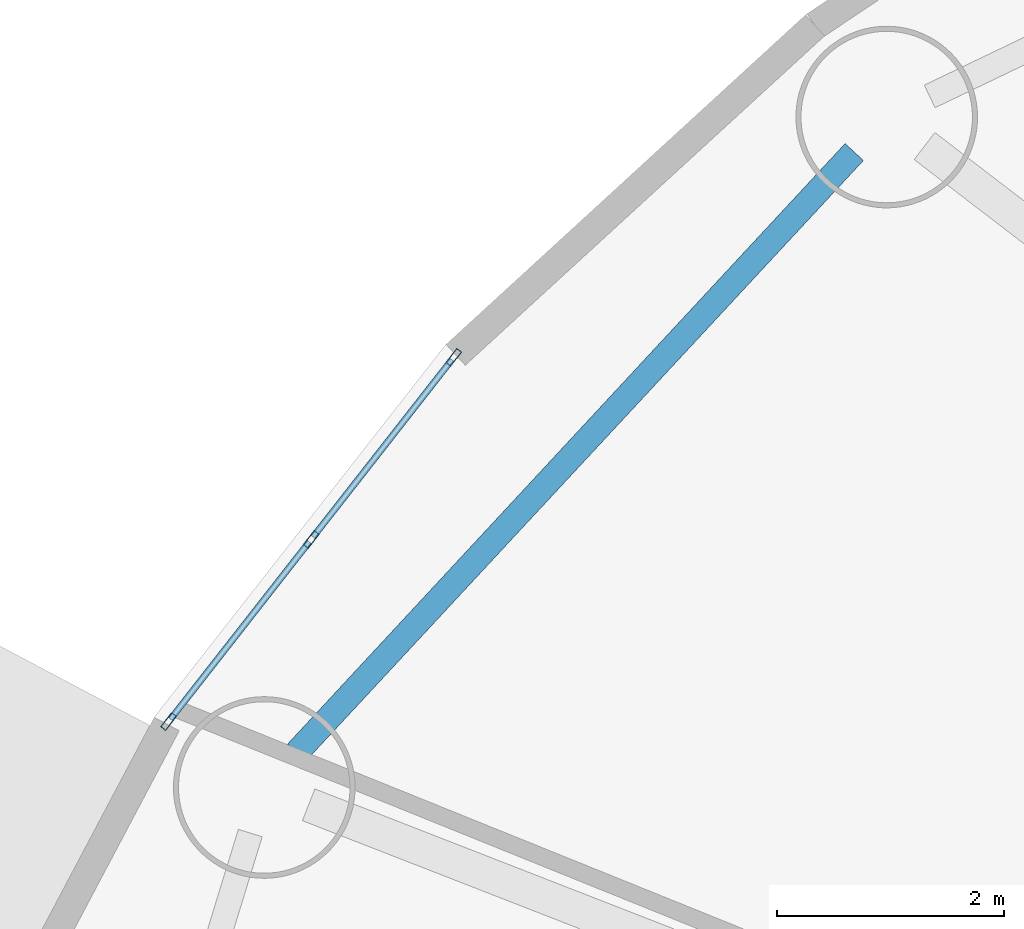
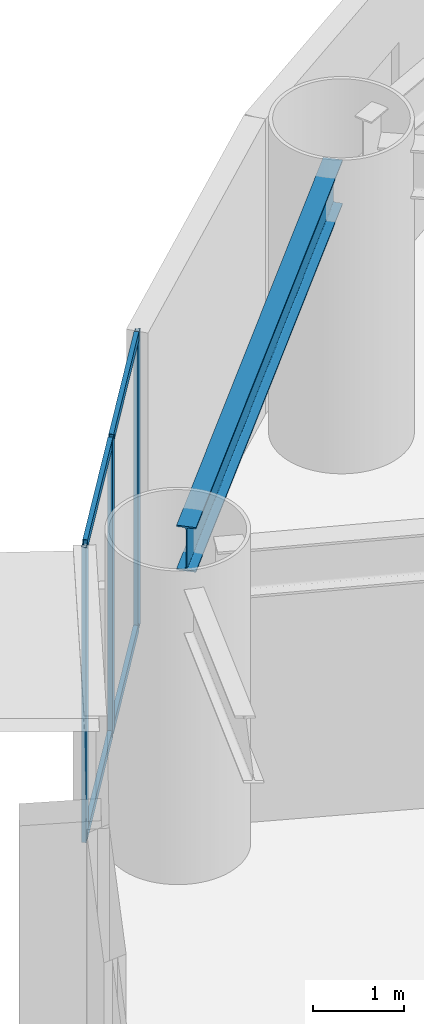
# One storey, part 9 of 29: 7 members, 1 beam, 1 element without a shape of its own.
"""IFC4 building model written with IfcOpenShell, lengths in metres."""

from ifc_helpers import new_model, si_unit, direction, frame, origin, origin_2d, place, context, subcontext, project, spatial, hollow_rectangle, i_section, extrude, source, transform, mapped, material, layer, layer_set, material_profile, profile_set, type_object, element, aggregate, save


model = new_model("IFC4")

# Units and contexts
model_context = context("Model", 3, precision=1e-05, world=origin(), true_north=direction((0.0, 1.0)))
body_context = subcontext(model_context, "Body", "Model", "MODEL_VIEW")
ifc_project = project(units=[si_unit("LENGTHUNIT", "METRE"), si_unit("AREAUNIT", "SQUARE_METRE"), si_unit("VOLUMEUNIT", "CUBIC_METRE"), si_unit("PLANEANGLEUNIT", "RADIAN"), si_unit("MASSUNIT", "GRAM", prefix="KILO")], contexts=[model_context])

# Site, building, storey
site_placement = place(None, origin())
site = spatial("IfcSite", under=ifc_project, at=site_placement, CompositionType="ELEMENT")
building_placement = place(site_placement, origin())
building = spatial("IfcBuilding", under=site, at=building_placement, Name="Linh Dai School and Residence Tower", CompositionType="ELEMENT")
storey_placement = place(building_placement, frame((0.0, 0.0, 45.0)))
storey = spatial("IfcBuildingStorey", under=building, at=storey_placement, Name="L10", CompositionType="ELEMENT", Elevation=45.0)

# Beam
ifc_material_1 = material(Name="Structural Steel S355JR", Category="steel")
ifc_material_profile_1 = material_profile(ifc_material_1, i_section(OverallWidth=0.219970703125, OverallDepth=0.60009765625, WebThickness=0.011962890625, FlangeThickness=0.01904296875, FilletRadius=0.02392578125, at=origin_2d()), Name="IPE 600")
ifc_profile_set_1 = profile_set([ifc_material_profile_1], Name="Structural Steel S355JR")
beam_type = type_object("IfcBeamType", Name="BM-RB60", PredefinedType="BEAM", material=ifc_profile_set_1)
beam_placement = place(storey_placement, frame((14.361572265625, 43.061279296875, 3.64990234375), z_axis=(-0.680408287194, -0.732833243458, 0.0), x_axis=(0.732833243458, -0.680408287194, 0.0)))
element("IfcBeam", 1, at=beam_placement, inside=storey, type_object=beam_type, Name="L10 Perimeter Elliptical Ring Beam 07", PredefinedType="BEAM", context=body_context, shape_type="SweptSolid", body=[
    extrude(i_section(OverallWidth=0.219970703125, OverallDepth=0.60009765625, WebThickness=0.011962890625, FlangeThickness=0.01904296875, FilletRadius=0.02392578125, at=origin_2d()), origin(), (0.0, 0.0, 1.0), 7.21826171875),
])

# Curtain wall, members
ifc_material_2 = material(Name="Aluminium Anodised Curtain Wall", Category="aluminium")
ifc_layer = layer(ifc_material_2, 0.159912109375)
ifc_layer_set = layer_set([ifc_layer], Name="Aluminium Anodised Curtain Wall")
curtain_wall_type = type_object("IfcCurtainWallType", Name="CW-SYS-3", PredefinedType="USERDEFINED", material=ifc_layer_set)
curtain_wall_placement = place(storey_placement, origin())
curtain_wall = element("IfcCurtainWall", 2, at=curtain_wall_placement, inside=storey, type_object=curtain_wall_type, Name="L10 CW3 Curtain Wall 17", ObjectType="RIBBON CURTAIN WALL", PredefinedType="USERDEFINED")
ifc_material_3 = material(Name="Aluminium Alloy 6063-T6", Category="aluminium")
ifc_material_profile_2 = material_profile(ifc_material_3, hollow_rectangle(XDim=0.054931640625, YDim=0.1201171875, WallThickness=0.00390625, at=origin_2d()), Name="RHS 120x55x4")
ifc_profile_set_2 = profile_set([ifc_material_profile_2], Name="Aluminium Alloy 6063-T6")
member_type_1 = type_object("IfcMemberType", Name="CW-SYS-3-TRN", PredefinedType="USERDEFINED", material=ifc_profile_set_2)
shared_shape_1 = source(origin(), body_context, "Body", "SweptSolid", [
    extrude(hollow_rectangle(XDim=0.054931640625, YDim=0.1201171875, WallThickness=0.00390625, at=origin_2d()), origin(), (0.0, 0.0, 1.0), 1.98193359375),
])
member_1_placement = place(storey_placement, frame((8.33935546875, 38.066162109375, 0.027587890625), z_axis=(0.616291654008, 0.787517998016, 0.0), x_axis=(-0.787517998016, 0.616291654008, 0.0)))
member_1 = element("IfcMember", 3, at=member_1_placement, type_object=member_type_1, Name="CW3 transom 1.1", ObjectType="TRANSOM", PredefinedType="USERDEFINED", context=body_context, shape_type="MappedRepresentation", body=[
    mapped(shared_shape_1, transform((0.0, 0.0, 0.0), x_axis=(1.0, 0.0, 0.0), y_axis=(0.0, 1.0, 0.0), z_axis=(0.0, 0.0, 1.0), scale=1.0)),
])
member_2_placement = place(storey_placement, frame((8.33935546875, 38.066162109375, 3.922607421875), z_axis=(0.616291654008, 0.787517998016, 0.0), x_axis=(-0.787517998016, 0.616291654008, 0.0)))
member_2 = element("IfcMember", 4, at=member_2_placement, type_object=member_type_1, Name="CW3 transom 1.2", ObjectType="TRANSOM", PredefinedType="USERDEFINED", context=body_context, shape_type="MappedRepresentation", body=[
    mapped(shared_shape_1, transform((0.0, 0.0, 0.0), x_axis=(1.0, 0.0, 0.0), y_axis=(0.0, 1.0, 0.0), z_axis=(0.0, 0.0, 1.0), scale=1.0)),
])
shared_shape_2 = source(origin(), body_context, "Body", "SweptSolid", [
    extrude(hollow_rectangle(XDim=0.054931640625, YDim=0.1201171875, WallThickness=0.00390625, at=origin_2d()), origin(), (0.0, 0.0, 1.0), 1.982177734375),
])
member_3_placement = place(storey_placement, frame((9.5947265625, 39.67041015625, 0.027587890625), z_axis=(0.616368042389, 0.787458212429, 0.0), x_axis=(-0.787458212429, 0.616368042389, 0.0)))
member_3 = element("IfcMember", 5, at=member_3_placement, type_object=member_type_1, Name="CW3 transom 2.1", ObjectType="TRANSOM", PredefinedType="USERDEFINED", context=body_context, shape_type="MappedRepresentation", body=[
    mapped(shared_shape_2, transform((0.0, 0.0, 0.0), x_axis=(1.0, 0.0, 0.0), y_axis=(0.0, 1.0, 0.0), z_axis=(0.0, 0.0, 1.0), scale=1.0)),
])
member_4_placement = place(storey_placement, frame((9.5947265625, 39.67041015625, 3.922607421875), z_axis=(0.616368042389, 0.787458212429, 0.0), x_axis=(-0.787458212429, 0.616368042389, 0.0)))
member_4 = element("IfcMember", 6, at=member_4_placement, type_object=member_type_1, Name="CW3 transom 2.2", ObjectType="TRANSOM", PredefinedType="USERDEFINED", context=body_context, shape_type="MappedRepresentation", body=[
    mapped(shared_shape_2, transform((0.0, 0.0, 0.0), x_axis=(1.0, 0.0, 0.0), y_axis=(0.0, 1.0, 0.0), z_axis=(0.0, 0.0, 1.0), scale=1.0)),
])
ifc_material_profile_3 = material_profile(ifc_material_3, hollow_rectangle(XDim=0.054931640625, YDim=0.159912109375, WallThickness=0.00390625, at=origin_2d()), Name="RHS 160x55x4")
ifc_profile_set_3 = profile_set([ifc_material_profile_3], Name="Aluminium Alloy 6063-T6")
member_type_2 = type_object("IfcMemberType", Name="CW-SYS-3-MUL", PredefinedType="MULLION", material=ifc_profile_set_3)
shared_shape_3 = source(origin(), body_context, "Body", "SweptSolid", [
    extrude(hollow_rectangle(XDim=0.054931640625, YDim=0.159912109375, WallThickness=0.00390625, at=origin_2d()), origin(), (0.0, 0.0, 1.0), 3.949951171875),
])
member_5_placement = place(storey_placement, frame((8.322265625, 38.04443359375, 0.0), z_axis=(0.0, 0.0, 1.0), x_axis=(-0.787496262172, 0.616319427785, 0.0)))
member_5 = element("IfcMember", 7, at=member_5_placement, type_object=member_type_2, Name="CW3 mullion 1", PredefinedType="MULLION", context=body_context, shape_type="MappedRepresentation", body=[
    mapped(shared_shape_3, transform((0.0, 0.0, 0.0), x_axis=(1.0, 0.0, 0.0), y_axis=(0.0, 1.0, 0.0), z_axis=(0.0, 0.0, 1.0), scale=1.0)),
])
member_6_placement = place(storey_placement, frame((9.577880859375, 39.648681640625, 0.0), z_axis=(0.0, 0.0, 1.0), x_axis=(-0.787496262172, 0.616319427785, 0.0)))
member_6 = element("IfcMember", 8, at=member_6_placement, type_object=member_type_2, Name="CW3 mullion 2", PredefinedType="MULLION", context=body_context, shape_type="MappedRepresentation", body=[
    mapped(shared_shape_3, transform((0.0, 0.0, 0.0), x_axis=(1.0, 0.0, 0.0), y_axis=(0.0, 1.0, 0.0), z_axis=(0.0, 0.0, 1.0), scale=1.0)),
])
member_7_placement = place(storey_placement, frame((10.833251953125, 41.2529296875, 0.0), z_axis=(0.0, 0.0, 1.0), x_axis=(-0.787496262172, 0.616319427785, 0.0)))
member_7 = element("IfcMember", 9, at=member_7_placement, type_object=member_type_2, Name="CW3 mullion 3", PredefinedType="MULLION", context=body_context, shape_type="MappedRepresentation", body=[
    mapped(shared_shape_3, transform((0.0, 0.0, 0.0), x_axis=(1.0, 0.0, 0.0), y_axis=(0.0, 1.0, 0.0), z_axis=(0.0, 0.0, 1.0), scale=1.0)),
])
aggregate(curtain_wall, [member_5, member_6, member_7, member_1, member_2, member_3, member_4])

save(model, "model.ifc")
